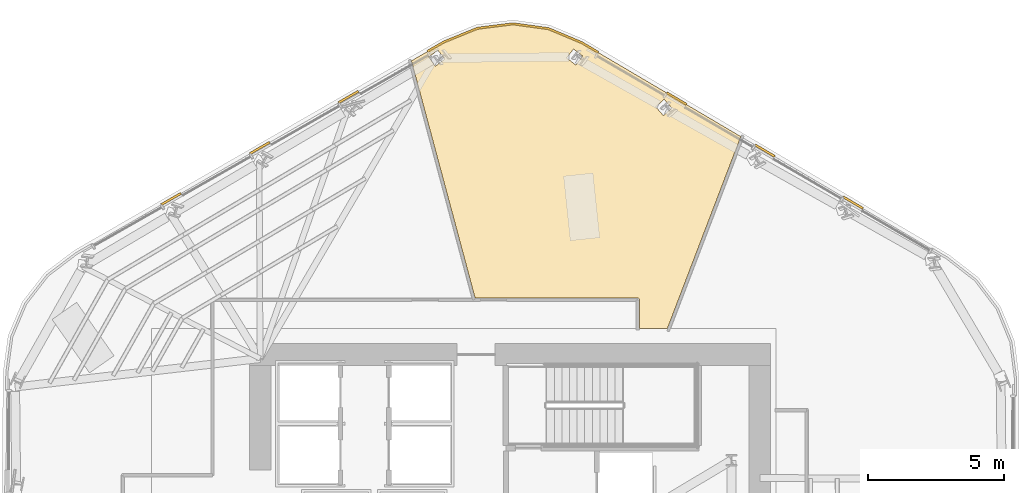
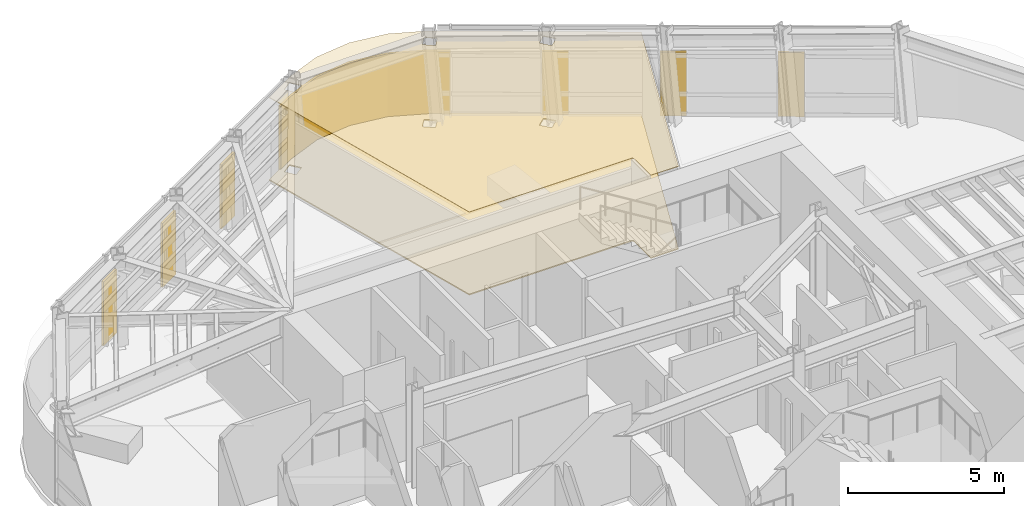
# One storey, part 15 of 16: 9 coverings.
"""IFC4 building model written with IfcOpenShell, lengths in metres."""

from ifc_helpers import new_model, si_unit, direction, frame, origin, place, context, subcontext, project, spatial, polyline, outline, extrude, material, layer, layer_set, type_object, element, save


model = new_model("IFC4")

# Units and contexts
model_context = context("Model", 3, precision=1e-05, world=origin(), true_north=direction((0.0, 1.0)))
body_context = subcontext(model_context, "Body", "Model", "MODEL_VIEW")
ifc_project = project(units=[si_unit("LENGTHUNIT", "METRE"), si_unit("AREAUNIT", "SQUARE_METRE"), si_unit("VOLUMEUNIT", "CUBIC_METRE"), si_unit("PLANEANGLEUNIT", "RADIAN"), si_unit("MASSUNIT", "GRAM", prefix="KILO")], contexts=[model_context])

# Site, building, storey
site_placement = place(None, origin())
site = spatial("IfcSite", under=ifc_project, at=site_placement, CompositionType="ELEMENT")
building_placement = place(site_placement, origin())
building = spatial("IfcBuilding", under=site, at=building_placement, Name="Valkerne Bourse Tower", CompositionType="ELEMENT")
storey_placement = place(building_placement, frame((0.0, 0.0, 151.39990234375)))
storey = spatial("IfcBuildingStorey", under=building, at=storey_placement, Name="L38", CompositionType="ELEMENT", Elevation=151.39990234375)

# Coverings
ifc_material_1 = material(Name="Mineral Fiber Acoustic Ceiling Tile", Category="acoustic")
ifc_layer_1 = layer(ifc_material_1, 0.02490234375)
ifc_layer_set_1 = layer_set([ifc_layer_1], Name="Mineral Fiber Acoustic Ceiling Tile")
covering_type_1 = type_object("IfcCoveringType", Name="COV-CEIL-ACT", PredefinedType="CEILING", material=ifc_layer_set_1)
covering_1_placement = place(storey_placement, frame((0.0, 0.0, 3.22998046875)))
element("IfcCovering", 1, at=covering_1_placement, inside=storey, type_object=covering_type_1, Name="L38 Suspended Ceiling 10", PredefinedType="CEILING", context=body_context, shape_type="SweptSolid", body=[
    extrude(outline(polyline([(46.908447265625, 47.72021484375), (48.2158203125, 47.541015625), (49.44091796875, 47.02587890625), (55.2978515625, 43.572998046875), (52.592041015625, 36.5), (51.569091796875, 36.5), (51.56884765625, 37.5634765625), (51.5517578125, 37.606201171875), (51.510986328125, 37.628173828125), (45.514404296875, 37.62890625), (43.17138671875, 46.36328125), (44.368896484375, 47.052490234375), (45.599365234375, 47.5546875), (46.908447265625, 47.72021484375)]), holes=[polyline([(52.476806640625, 44.9404296875), (52.47412109375, 44.94140625), (52.1650390625, 44.666015625), (52.44580078125, 44.348876953125), (52.448486328125, 44.347900390625), (52.7578125, 44.623291015625), (52.476806640625, 44.9404296875)]), polyline([(44.3955078125, 46.425537109375), (44.14501953125, 46.75537109375), (44.14208984375, 46.7548828125), (43.8056640625, 46.497802734375), (44.055908203125, 46.168212890625), (44.05859375, 46.16845703125), (44.3955078125, 46.425537109375)]), polyline([(49.14013671875, 46.796875), (49.13720703125, 46.797119140625), (48.88525390625, 46.46875), (49.220458984375, 46.2099609375), (49.223388671875, 46.20947265625), (49.475341796875, 46.5380859375), (49.14013671875, 46.796875)])]), origin(), (0.0, 0.0, 1.0), 0.025146484375),
])
ifc_material_2 = material(Name="Bronze Anodised Aluminium AA 6063-T6", Category="aluminium")
ifc_layer_2 = layer(ifc_material_2, 0.06005859375)
ifc_layer_set_2 = layer_set([ifc_layer_2], Name="Bronze Anodised Aluminium AA 6063-T6")
covering_type_2 = type_object("IfcCoveringType", Name="COV-CRN-ALUM", PredefinedType="CLADDING", material=ifc_layer_set_2)
covering_2_placement = place(storey_placement, origin())
element("IfcCovering", 2, at=covering_2_placement, inside=storey, type_object=covering_type_2, Name="L38 Wind-Shaped Corner Aluminium Cladding 14", PredefinedType="CLADDING", context=body_context, shape_type="SweptSolid", body=[
    extrude(outline(polyline([(34.662109375, 41.5166015625), (34.701904296875, 41.447021484375), (33.9736328125, 41.028076171875), (33.93408203125, 41.09765625), (34.662109375, 41.5166015625)])), origin(), (0.0, 0.0, 1.0), 2.5),
])
covering_3_placement = place(storey_placement, origin())
element("IfcCovering", 3, at=covering_3_placement, inside=storey, type_object=covering_type_2, Name="L38 Wind-Shaped Corner Aluminium Cladding 15", PredefinedType="CLADDING", context=body_context, shape_type="SweptSolid", body=[
    extrude(outline(polyline([(37.930419921875, 43.397705078125), (37.97021484375, 43.328125), (37.241943359375, 42.9091796875), (37.202392578125, 42.978515625), (37.930419921875, 43.397705078125)])), origin(), (0.0, 0.0, 1.0), 2.5),
])
covering_4_placement = place(storey_placement, origin())
element("IfcCovering", 4, at=covering_4_placement, inside=storey, type_object=covering_type_2, Name="L38 Wind-Shaped Corner Aluminium Cladding 16", PredefinedType="CLADDING", context=body_context, shape_type="SweptSolid", body=[
    extrude(outline(polyline([(41.198974609375, 45.27880859375), (41.238525390625, 45.209228515625), (40.510498046875, 44.790283203125), (40.470703125, 44.859619140625), (41.198974609375, 45.27880859375)])), origin(), (0.0, 0.0, 1.0), 2.5),
])
covering_5_placement = place(storey_placement, origin())
element("IfcCovering", 5, at=covering_5_placement, inside=storey, type_object=covering_type_2, Name="L38 Wind-Shaped Corner Aluminium Cladding 17", PredefinedType="CLADDING", context=body_context, shape_type="SweptSolid", body=[
    extrude(outline(polyline([(44.349609375, 47.09228515625), (45.588134765625, 47.597412109375), (46.90869140625, 47.764404296875), (48.2275390625, 47.583740234375), (49.460693359375, 47.0654296875), (50.0673828125, 46.707763671875), (50.027099609375, 46.638671875), (49.424560546875, 46.993896484375), (48.206298828125, 47.505859375), (46.908203125, 47.68359375), (45.608642578125, 47.51953125), (44.385009765625, 47.02001953125), (43.77880859375, 46.67138671875), (43.739013671875, 46.74072265625), (44.349609375, 47.09228515625)])), origin(), (0.0, 0.0, 1.0), 2.5),
])
covering_6_placement = place(storey_placement, origin())
element("IfcCovering", 6, at=covering_6_placement, inside=storey, type_object=covering_type_2, Name="L38 Wind-Shaped Corner Aluminium Cladding 18", PredefinedType="CLADDING", context=body_context, shape_type="SweptSolid", body=[
    extrude(outline(polyline([(53.31591796875, 44.79248046875), (53.275390625, 44.723388671875), (52.552001953125, 45.14990234375), (52.59228515625, 45.218994140625), (53.31591796875, 44.79248046875)])), origin(), (0.0, 0.0, 1.0), 2.5),
])
covering_7_placement = place(storey_placement, origin())
element("IfcCovering", 7, at=covering_7_placement, inside=storey, type_object=covering_type_2, Name="L38 Wind-Shaped Corner Aluminium Cladding 19", PredefinedType="CLADDING", context=body_context, shape_type="SweptSolid", body=[
    extrude(outline(polyline([(56.564453125, 42.877197265625), (56.524169921875, 42.80810546875), (55.80029296875, 43.23486328125), (55.8408203125, 43.303955078125), (56.564453125, 42.877197265625)])), origin(), (0.0, 0.0, 1.0), 2.5),
])
covering_8_placement = place(storey_placement, origin())
element("IfcCovering", 8, at=covering_8_placement, inside=storey, type_object=covering_type_2, Name="L38 Wind-Shaped Corner Aluminium Cladding 20", PredefinedType="CLADDING", context=body_context, shape_type="SweptSolid", body=[
    extrude(outline(polyline([(59.812744140625, 40.962158203125), (59.7724609375, 40.89306640625), (59.048828125, 41.319580078125), (59.089111328125, 41.388671875), (59.812744140625, 40.962158203125)])), origin(), (0.0, 0.0, 1.0), 2.5),
])
ifc_material_3 = material(Name="Galvanised Painted Steel", Category="steel")
ifc_layer_3 = layer(ifc_material_3, 0.044921875)
ifc_layer_set_3 = layer_set([ifc_layer_3], Name="Galvanised Painted Steel")
covering_type_3 = type_object("IfcCoveringType", Name="COV-FLR-RAF", PredefinedType="FLOORING", material=ifc_layer_set_3)
covering_9_placement = place(storey_placement, origin())
element("IfcCovering", 9, at=covering_9_placement, inside=storey, type_object=covering_type_3, Name="L38 Floor Finish 10", PredefinedType="FLOORING", context=body_context, shape_type="SweptSolid", body=[
    extrude(outline(polyline([(46.908447265625, 47.72021484375), (48.2158203125, 47.541015625), (49.44091796875, 47.02587890625), (55.2978515625, 43.572998046875), (52.592041015625, 36.5), (51.569091796875, 36.5), (51.56884765625, 37.5634765625), (51.5517578125, 37.606201171875), (51.510986328125, 37.628173828125), (45.514404296875, 37.62890625), (43.17138671875, 46.36328125), (44.368896484375, 47.052490234375), (45.599365234375, 47.5546875), (46.908447265625, 47.72021484375)]), holes=[polyline([(52.476806640625, 44.9404296875), (52.47412109375, 44.94140625), (52.1650390625, 44.666015625), (52.44580078125, 44.348876953125), (52.448486328125, 44.347900390625), (52.7578125, 44.623291015625), (52.476806640625, 44.9404296875)]), polyline([(44.3955078125, 46.425537109375), (44.14501953125, 46.75537109375), (44.14208984375, 46.7548828125), (43.8056640625, 46.497802734375), (44.055908203125, 46.168212890625), (44.05859375, 46.16845703125), (44.3955078125, 46.425537109375)]), polyline([(49.14013671875, 46.796875), (49.13720703125, 46.797119140625), (48.88525390625, 46.46875), (49.220458984375, 46.2099609375), (49.223388671875, 46.20947265625), (49.475341796875, 46.5380859375), (49.14013671875, 46.796875)])]), origin(), (0.0, 0.0, 1.0), 0.045166015625),
])

save(model, "model.ifc")
